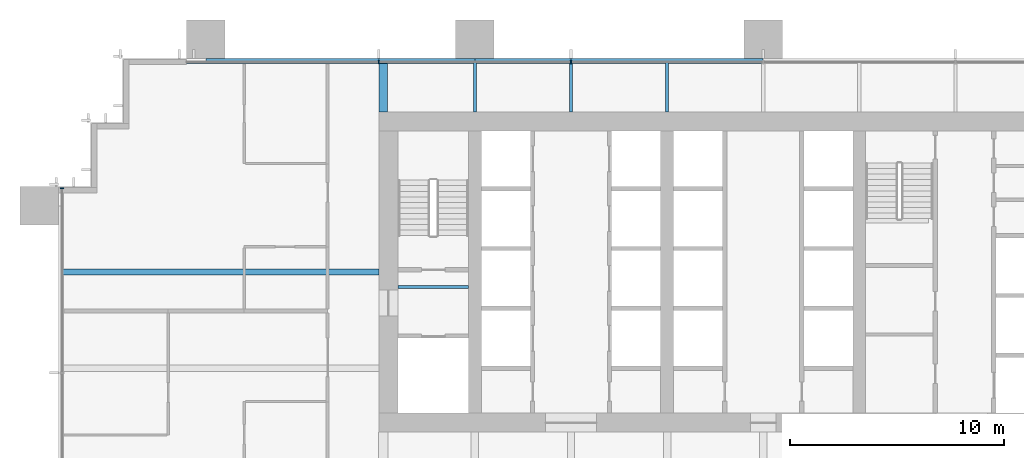
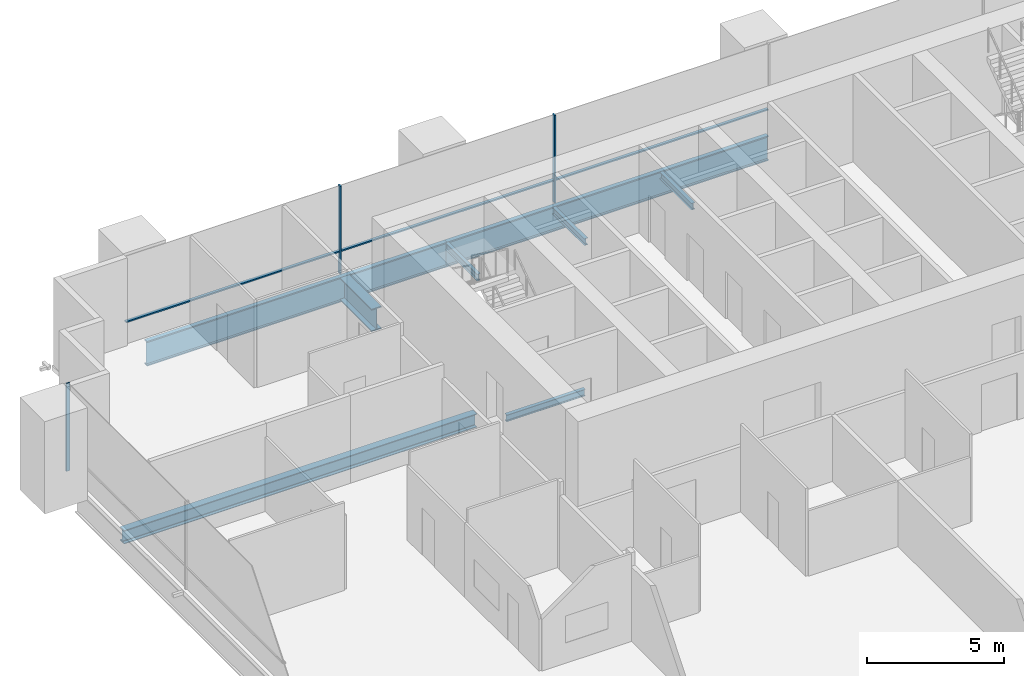
# One storey, part 7 of 18: 8 beams, 6 members, 2 elements without a shape of their own.
"""IFC4 building model written with IfcOpenShell, lengths in metres."""

from ifc_helpers import new_model, si_unit, direction, frame, origin, origin_2d, place, context, subcontext, project, spatial, rectangle, i_section, extrude, material, material_profile, profile_set, type_object, element, aggregate, save


model = new_model("IFC4")

# Units and contexts
model_context = context("Model", 3, precision=1e-05, world=origin(), true_north=direction((0.0, 1.0)))
body_context = subcontext(model_context, "Body", "Model", "MODEL_VIEW")
ifc_project = project(units=[si_unit("LENGTHUNIT", "METRE"), si_unit("AREAUNIT", "SQUARE_METRE"), si_unit("VOLUMEUNIT", "CUBIC_METRE"), si_unit("PLANEANGLEUNIT", "RADIAN"), si_unit("MASSUNIT", "GRAM", prefix="KILO")], contexts=[model_context])

# Site, building, storey
site_placement = place(None, origin())
site = spatial("IfcSite", under=ifc_project, at=site_placement, CompositionType="ELEMENT")
building_placement = place(site_placement, origin())
building = spatial("IfcBuilding", under=site, at=building_placement, Name="Rattan Terrace Tower", CompositionType="ELEMENT")
storey_placement = place(building_placement, frame((0.0, 0.0, 36.5)))
storey = spatial("IfcBuildingStorey", under=building, at=storey_placement, Name="L07", CompositionType="ELEMENT", Elevation=36.5)

# Curtain wall, members
ifc_material_1 = material(Name="Aluminium and glass", Category="aluminium")
curtain_wall_type = type_object("IfcCurtainWallType", Name="Facade Unitised Curtain Wall", PredefinedType="NOTDEFINED", material=ifc_material_1)
curtain_wall_1_placement = place(storey_placement, origin())
curtain_wall_1 = element("IfcCurtainWall", 1, at=curtain_wall_1_placement, inside=storey, type_object=curtain_wall_type, Name="Curtain wall L07-2", PredefinedType="NOTDEFINED")
ifc_material_2 = material(Name="Aluminium", Category="aluminium")
ifc_material_profile_1 = material_profile(ifc_material_2, rectangle(XDim=0.06005859375, YDim=0.159912109375, at=origin_2d()), Name="Aluminium 60x160")
ifc_profile_set_1 = profile_set([ifc_material_profile_1], Name="Aluminium")
member_type_1 = type_object("IfcMemberType", Name="Facade CW Mullion 60x160", PredefinedType="MULLION", material=ifc_profile_set_1)
member_1_placement = place(storey_placement, frame((-9.0, 9.830078125, 0.0), z_axis=(0.0, 0.0, 1.0), x_axis=(-1.0, 0.0, 0.0)))
member_1 = element("IfcMember", 2, at=member_1_placement, type_object=member_type_1, Name="Mullion cwl-L07-002.5", PredefinedType="MULLION", context=body_context, shape_type="SweptSolid", body=[
    extrude(rectangle(XDim=0.06005859375, YDim=0.159912109375, at=origin_2d()), origin(), (0.0, 0.0, 1.0), 3.89990234375),
])
member_2_placement = place(storey_placement, frame((-18.0, 9.830078125, 0.0), z_axis=(0.0, 0.0, 1.0), x_axis=(-1.0, 0.0, 0.0)))
member_2 = element("IfcMember", 3, at=member_2_placement, type_object=member_type_1, Name="Mullion cwl-L07-002.6", PredefinedType="MULLION", context=body_context, shape_type="SweptSolid", body=[
    extrude(rectangle(XDim=0.06005859375, YDim=0.159912109375, at=origin_2d()), origin(), (0.0, 0.0, 1.0), 3.89990234375),
])

# Curtain wall, member
curtain_wall_2_placement = place(storey_placement, origin())
curtain_wall_2 = element("IfcCurtainWall", 4, at=curtain_wall_2_placement, inside=storey, type_object=curtain_wall_type, Name="Curtain wall L07-3", PredefinedType="NOTDEFINED")
member_3_placement = place(storey_placement, frame((-32.830078125, 3.925048828125, 0.0), z_axis=(0.0, 0.0, 1.0), x_axis=(0.0, -1.0, 0.0)))
member_3 = element("IfcMember", 5, at=member_3_placement, type_object=member_type_1, Name="Mullion cwl-L07-003.1", PredefinedType="MULLION", context=body_context, shape_type="SweptSolid", body=[
    extrude(rectangle(XDim=0.06005859375, YDim=0.159912109375, at=origin_2d()), origin(), (0.0, 0.0, 1.0), 3.89990234375),
])
aggregate(curtain_wall_2, [member_3])

# Member
ifc_material_3 = material(Name="Aluminium", Category="aluminium")
ifc_material_profile_2 = material_profile(ifc_material_3, rectangle(XDim=0.1201171875, YDim=0.06005859375, at=origin_2d()), Name="Aluminium 120x60")
ifc_profile_set_2 = profile_set([ifc_material_profile_2], Name="Aluminium")
member_type_2 = type_object("IfcMemberType", Name="Facade CW Transom 120x60", PredefinedType="USERDEFINED", material=ifc_profile_set_2)
member_4_placement = place(storey_placement, frame((-0.030029296875, 9.830078125, 1.0), z_axis=(-1.0, 0.0, 0.0), x_axis=(0.0, -1.0, 0.0)))
member_4 = element("IfcMember", 6, at=member_4_placement, type_object=member_type_2, Name="Transom cwl-L07-002.4", ObjectType="TRANSOM", PredefinedType="USERDEFINED", context=body_context, shape_type="SweptSolid", body=[
    extrude(rectangle(XDim=0.1201171875, YDim=0.06005859375, at=origin_2d()), origin(), (0.0, 0.0, 1.0), 8.93994140625),
])

member_5_placement = place(storey_placement, frame((-9.030029296875, 9.830078125, 1.0), z_axis=(-1.0, 0.0, 0.0), x_axis=(0.0, -1.0, 0.0)))
member_5 = element("IfcMember", 7, at=member_5_placement, type_object=member_type_2, Name="Transom cwl-L07-002.5", ObjectType="TRANSOM", PredefinedType="USERDEFINED", context=body_context, shape_type="SweptSolid", body=[
    extrude(rectangle(XDim=0.1201171875, YDim=0.06005859375, at=origin_2d()), origin(), (0.0, 0.0, 1.0), 8.93994140625),
])

member_6_placement = place(storey_placement, frame((-18.030029296875, 9.830078125, 1.0), z_axis=(-1.0, 0.0, 0.0), x_axis=(0.0, -1.0, 0.0)))
member_6 = element("IfcMember", 8, at=member_6_placement, type_object=member_type_2, Name="Transom cwl-L07-002.6", ObjectType="TRANSOM", PredefinedType="USERDEFINED", context=body_context, shape_type="SweptSolid", body=[
    extrude(rectangle(XDim=0.1201171875, YDim=0.06005859375, at=origin_2d()), origin(), (0.0, 0.0, 1.0), 8.969970703125),
])

aggregate(curtain_wall_1, [member_1, member_2, member_4, member_5, member_6])

# Beams
ifc_material_4 = material(Name="Steel S460", Category="steel")
ifc_material_profile_3 = material_profile(ifc_material_4, i_section(OverallWidth=0.39990234375, OverallDepth=1.0, WebThickness=0.01806640625, FlangeThickness=0.044921875, at=origin_2d()), Name="PG 1000x400-18-45")
ifc_profile_set_3 = profile_set([ifc_material_profile_3], Name="Steel S460")
beam_type_1 = type_object("IfcBeamType", Name="Frame core girder PG 1000x400-18-45", PredefinedType="BEAM", material=ifc_profile_set_3)
beam_1_placement = place(storey_placement, frame((-17.800048828125, 7.5, -0.699951171875), z_axis=(0.0, 1.0, 0.0), x_axis=(-1.0, 0.0, 0.0)))
element("IfcBeam", 9, at=beam_1_placement, inside=storey, type_object=beam_type_1, Name="gdr-L07-015", PredefinedType="BEAM", context=body_context, shape_type="SweptSolid", body=[
    extrude(i_section(OverallWidth=0.39990234375, OverallDepth=1.0, WebThickness=0.01806640625, FlangeThickness=0.044921875, at=origin_2d()), origin(), (0.0, 0.0, 1.0), 2.320068359375),
])
ifc_material_5 = material(Name="Steel S460", Category="steel")
ifc_material_profile_4 = material_profile(ifc_material_5, i_section(OverallWidth=0.179931640625, OverallDepth=1.10009765625, WebThickness=0.01611328125, FlangeThickness=0.050048828125, at=origin_2d()), Name="PG 1100x180-16-50")
ifc_profile_set_4 = profile_set([ifc_material_profile_4], Name="Steel S460")
beam_type_2 = type_object("IfcBeamType", Name="Frame edge girder PG 1100x180-16-50", PredefinedType="SPANDREL", material=ifc_profile_set_4)
beam_2_placement = place(storey_placement, frame((-13.5, 9.909912109375, -0.75), z_axis=(-1.0, 0.0, 0.0), x_axis=(0.0, -1.0, 0.0)))
element("IfcBeam", 10, at=beam_2_placement, inside=storey, type_object=beam_type_2, Name="gdr-L07-009", PredefinedType="SPANDREL", context=body_context, shape_type="SweptSolid", body=[
    extrude(i_section(OverallWidth=0.179931640625, OverallDepth=1.10009765625, WebThickness=0.01611328125, FlangeThickness=0.050048828125, at=origin_2d()), origin(), (0.0, 0.0, 1.0), 12.60009765625),
])
beam_3_placement = place(storey_placement, frame((0.0, 9.909912109375, -0.75), z_axis=(-1.0, 0.0, 0.0), x_axis=(0.0, -1.0, 0.0)))
element("IfcBeam", 11, at=beam_3_placement, inside=storey, type_object=beam_type_2, Name="gdr-L07-010", PredefinedType="SPANDREL", context=body_context, shape_type="SweptSolid", body=[
    extrude(i_section(OverallWidth=0.179931640625, OverallDepth=1.10009765625, WebThickness=0.01611328125, FlangeThickness=0.050048828125, at=origin_2d()), origin(), (0.0, 0.0, 1.0), 13.5),
])
ifc_material_6 = material(Name="Steel S355", Category="steel")
ifc_material_profile_5 = material_profile(ifc_material_6, i_section(OverallWidth=0.300048828125, OverallDepth=0.60009765625, WebThickness=0.015380859375, FlangeThickness=0.030029296875, FilletRadius=0.027099609375, at=origin_2d()), Name="HE 600 B")
ifc_profile_set_5 = profile_set([ifc_material_profile_5], Name="Steel S355")
beam_type_3 = type_object("IfcBeamType", Name="Frame floor beam HE 600 B", PredefinedType="JOIST", material=ifc_profile_set_5)
beam_4_placement = place(storey_placement, frame((-32.820068359375, 0.0, -0.5), z_axis=(1.0, 0.0, 0.0), x_axis=(0.0, 1.0, 0.0)))
element("IfcBeam", 12, at=beam_4_placement, inside=storey, type_object=beam_type_3, Name="bm-L07-022", PredefinedType="JOIST", context=body_context, shape_type="SweptSolid", body=[
    extrude(i_section(OverallWidth=0.300048828125, OverallDepth=0.60009765625, WebThickness=0.015380859375, FlangeThickness=0.030029296875, FilletRadius=0.027099609375, at=origin_2d()), origin(), (0.0, 0.0, 1.0), 14.820068359375),
])
ifc_material_7 = material(Name="Steel S355", Category="steel")
ifc_material_profile_6 = material_profile(ifc_material_7, i_section(OverallWidth=0.14990234375, OverallDepth=0.300048828125, WebThickness=0.007080078125, FlangeThickness=0.0107421875, FilletRadius=0.014892578125, at=origin_2d()), Name="IPE 300")
ifc_profile_set_6 = profile_set([ifc_material_profile_6], Name="Steel S355")
beam_type_4 = type_object("IfcBeamType", Name="Frame floor beam IPE 300", PredefinedType="JOIST", material=ifc_profile_set_6)
beam_5_placement = place(storey_placement, frame((-17.10009765625, -0.695068359375, -0.35009765625), z_axis=(1.0, 0.0, 0.0), x_axis=(0.0, 1.0, 0.0)))
element("IfcBeam", 13, at=beam_5_placement, inside=storey, type_object=beam_type_4, Name="bm-L07-001", PredefinedType="JOIST", context=body_context, shape_type="SweptSolid", body=[
    extrude(i_section(OverallWidth=0.14990234375, OverallDepth=0.300048828125, WebThickness=0.007080078125, FlangeThickness=0.0107421875, FilletRadius=0.014892578125, at=origin_2d()), origin(), (0.0, 0.0, 1.0), 3.300048828125),
])
for number, where, z_axis, x_axis, name in (
    (14, (-13.5, 7.5, -0.35009765625), (0.0, 1.0, 0.0), (-1.0, 0.0, 0.0), "bm-L07-024"),
    (15, (-9.0, 7.5, -0.35009765625), (0.0, 1.0, 0.0), (-1.0, 0.0, 0.0), "bm-L07-025"),
    (16, (-4.5, 7.5, -0.35009765625), (0.0, 1.0, 0.0), (-1.0, 0.0, 0.0), "bm-L07-026"),
):
    element("IfcBeam", number, at=place(storey_placement, frame(where, z_axis=z_axis, x_axis=x_axis)), inside=storey, type_object=beam_type_4, Name=name, PredefinedType="JOIST", context=body_context, shape_type="SweptSolid", body=[
        extrude(i_section(OverallWidth=0.14990234375, OverallDepth=0.300048828125, WebThickness=0.007080078125, FlangeThickness=0.0107421875, FilletRadius=0.014892578125, at=origin_2d()), origin(), (0.0, 0.0, 1.0), 2.320068359375),
    ])

save(model, "model.ifc")
